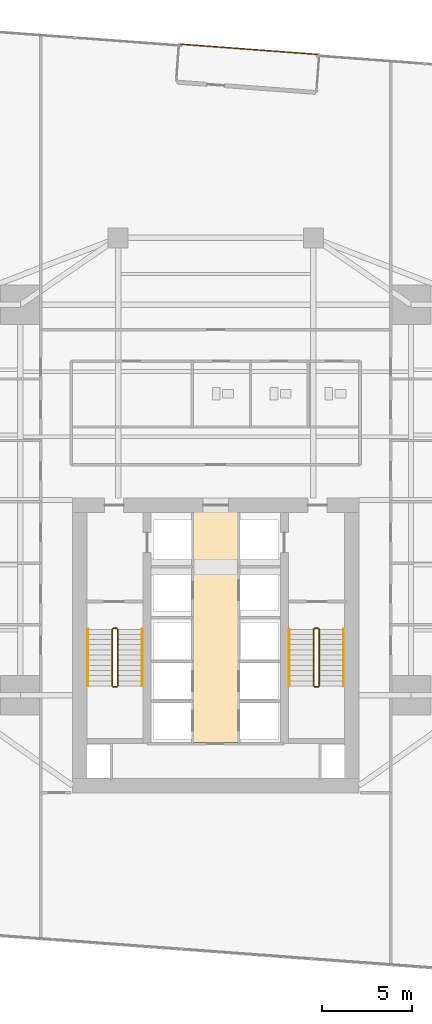
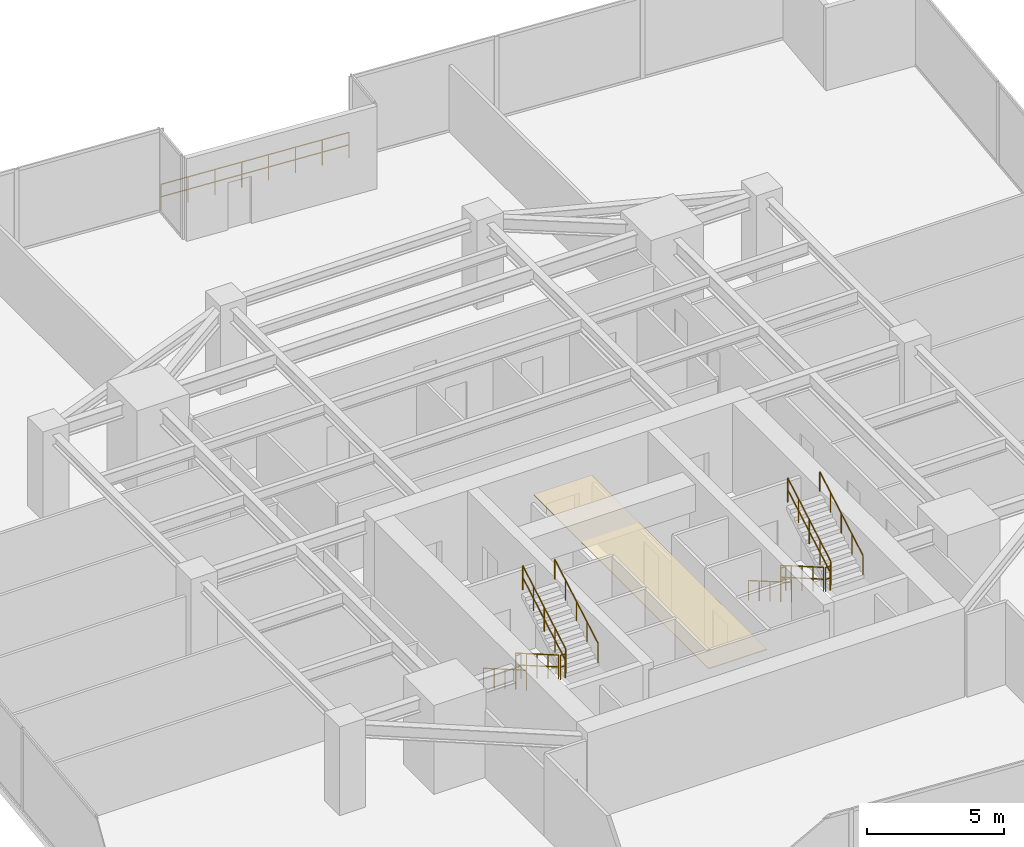
# One storey, part 29 of 30: 13 railings, 1 covering.
"""IFC4 building model written with IfcOpenShell, lengths in metres."""

from ifc_helpers import new_model, si_unit, direction, frame, origin, origin_2d, place, context, subcontext, project, spatial, polyline, circle, outline, extrude, material, layer, layer_set, type_object, element, save


model = new_model("IFC4")

# Units and contexts
model_context = context("Model", 3, precision=1e-05, world=origin(), true_north=direction((0.0, 1.0)))
body_context = subcontext(model_context, "Body", "Model", "MODEL_VIEW")
ifc_project = project(units=[si_unit("LENGTHUNIT", "METRE"), si_unit("AREAUNIT", "SQUARE_METRE"), si_unit("VOLUMEUNIT", "CUBIC_METRE"), si_unit("PLANEANGLEUNIT", "RADIAN"), si_unit("MASSUNIT", "GRAM", prefix="KILO")], contexts=[model_context])

# Site, building, storey
site_placement = place(None, origin())
site = spatial("IfcSite", under=ifc_project, at=site_placement, CompositionType="ELEMENT")
building_placement = place(site_placement, origin())
building = spatial("IfcBuilding", under=site, at=building_placement, Name="Krantzveldt Concourse Tower", CompositionType="ELEMENT")
storey_placement = place(building_placement, frame((0.0, 0.0, 48.699951171875)))
storey = spatial("IfcBuildingStorey", under=building, at=storey_placement, Name="L11", CompositionType="ELEMENT", Elevation=48.699951171875)

# Covering
ifc_material_1 = material(Name="Perforated acoustic mineral-fibre ceiling tile", Category="ceiling")
ifc_layer_1 = layer(ifc_material_1, 0.0400390625, Name="Perforated acoustic mineral-fibre ceiling tile", Category="ceiling")
ifc_layer_set_1 = layer_set([ifc_layer_1], Name="Perforated acoustic mineral-fibre ceiling tile (COV-CEIL-ACOUSTIC)")
covering_type = type_object("IfcCoveringType", Name="COV-CEIL-ACOUSTIC", PredefinedType="CEILING", material=ifc_layer_set_1)
covering_placement = place(storey_placement, frame((0.0, 0.0, 2.75)))
element("IfcCovering", 1, at=covering_placement, inside=storey, type_object=covering_type, Name="CLG-L11-LLB", PredefinedType="CEILING", context=body_context, shape_type="SweptSolid", body=[
    extrude(outline(polyline([(37.22509765625, 13.27490234375), (34.77490234375, 13.27490234375), (34.77490234375, 26.044921875), (37.22509765625, 26.044921875), (37.22509765625, 13.27490234375)])), origin(), (0.0, 0.0, 1.0), 0.0400390625),
])

# Railings
ifc_material_2 = material(Name="Stainless steel 316L", Category="steel")
ifc_layer_2 = layer(ifc_material_2, 0.080078125, Name="Stainless steel 316L", Category="steel")
ifc_layer_set_2 = layer_set([ifc_layer_2], Name="Stainless steel 316L (RL-BALUSTRADE-1150)")
railing_type_1 = type_object("IfcRailingType", Name="RL-BALUSTRADE-1150", PredefinedType="BALUSTRADE", material=ifc_layer_set_2)
railing_1_placement = place(storey_placement, frame((34.063232421875, 51.912841796875, 0.0)))
element("IfcRailing", 2, at=railing_1_placement, inside=storey, type_object=railing_type_1, Name="GD-L11-CTER-01", PredefinedType="BALUSTRADE", context=body_context, shape_type="SweptSolid", body=[
    extrude(circle(Radius=0.02392578125, at=origin_2d()), frame((0.0, 0.0, 1.1259765625), z_axis=(0.997250108425, -0.074109521973, 0.0), x_axis=(0.074109521973, 0.997250108425, 0.0)), (0.0, 0.0, 1.0), 7.60009765625),
    extrude(circle(Radius=0.02392578125, at=origin_2d()), frame((0.0, 0.0, 0.574951171875), z_axis=(0.997250108425, -0.074109521973, 0.0), x_axis=(0.074109521973, 0.997250108425, 0.0)), (0.0, 0.0, 1.0), 7.60009765625),
    extrude(circle(Radius=0.02099609375, at=origin_2d()), origin(), (0.0, 0.0, 1.0), 1.101806640625),
    extrude(circle(Radius=0.02099609375, at=origin_2d()), frame((1.082763671875, -0.08056640625, 0.0)), (0.0, 0.0, 1.0), 1.101806640625),
    extrude(circle(Radius=0.02099609375, at=origin_2d()), frame((2.16552734375, -0.160888671875, 0.0)), (0.0, 0.0, 1.0), 1.101806640625),
    extrude(circle(Radius=0.02099609375, at=origin_2d()), frame((3.248291015625, -0.241455078125, 0.0)), (0.0, 0.0, 1.0), 1.101806640625),
    extrude(circle(Radius=0.02099609375, at=origin_2d()), frame((4.330810546875, -0.32177734375, 0.0)), (0.0, 0.0, 1.0), 1.101806640625),
    extrude(circle(Radius=0.02099609375, at=origin_2d()), frame((5.41357421875, -0.40234375, 0.0)), (0.0, 0.0, 1.0), 1.101806640625),
    extrude(circle(Radius=0.02099609375, at=origin_2d()), frame((6.496337890625, -0.482666015625, 0.0)), (0.0, 0.0, 1.0), 1.101806640625),
    extrude(circle(Radius=0.02099609375, at=origin_2d()), frame((7.5791015625, -0.563232421875, 0.0)), (0.0, 0.0, 1.0), 1.101806640625),
])
ifc_layer_3 = layer(ifc_material_2, 0.06005859375, Name="Stainless steel 316L", Category="steel")
ifc_layer_set_3 = layer_set([ifc_layer_3], Name="Stainless steel 316L (RL-GUARD-1120)")
railing_type_2 = type_object("IfcRailingType", Name="RL-GUARD-1120", PredefinedType="GUARDRAIL", material=ifc_layer_set_3)
railing_2_placement = place(storey_placement, frame((30.280029296875, 19.550048828125, 0.16455078125)))
element("IfcRailing", 3, at=railing_2_placement, inside=storey, type_object=railing_type_2, Name="L11 ST-1 stair guard 1", PredefinedType="GUARDRAIL", context=body_context, shape_type="SweptSolid", body=[
    extrude(circle(Radius=0.02392578125, at=origin_2d()), frame((0.0, 0.0, 1.076171875), z_axis=(0.0, -0.865959834175, 0.500113552702), x_axis=(1.0, 0.0, 0.0)), (0.0, 0.0, 1.0), 3.620361328125),
    extrude(circle(Radius=0.02392578125, at=origin_2d()), frame((0.0, 0.0, 0.550048828125), z_axis=(0.0, -0.865959834175, 0.500113552702), x_axis=(1.0, 0.0, 0.0)), (0.0, 0.0, 1.0), 3.620361328125),
    extrude(circle(Radius=0.02099609375, at=origin_2d()), origin(), (0.0, 0.0, 1.0), 1.052001953125),
    extrude(circle(Radius=0.02099609375, at=origin_2d()), frame((0.0, -0.78369140625, 0.45263671875)), (0.0, 0.0, 1.0), 1.052001953125),
    extrude(circle(Radius=0.02099609375, at=origin_2d()), frame((0.0, -1.5673828125, 0.9052734375)), (0.0, 0.0, 1.0), 1.052001953125),
    extrude(circle(Radius=0.02099609375, at=origin_2d()), frame((0.0, -2.351318359375, 1.35791015625)), (0.0, 0.0, 1.0), 1.052001953125),
    extrude(circle(Radius=0.02099609375, at=origin_2d()), frame((0.0, -3.135009765625, 1.810546875)), (0.0, 0.0, 1.0), 1.052001953125),
])
railing_3_placement = place(storey_placement, frame((30.330078125, 16.364990234375, 1.97509765625)))
element("IfcRailing", 4, at=railing_3_placement, inside=storey, type_object=railing_type_2, Name="L11 ST-1 stair guard 2", PredefinedType="GUARDRAIL", context=body_context, shape_type="SweptSolid", body=[
    extrude(circle(Radius=0.02392578125, at=origin_2d()), frame((0.0, 0.0, 1.076171875), z_axis=(1.0, 0.0, 0.0), x_axis=(0.0, 1.0, 0.0)), (0.0, 0.0, 1.0), 0.199951171875),
    extrude(circle(Radius=0.02392578125, at=origin_2d()), frame((0.0, 0.0, 0.550048828125), z_axis=(1.0, 0.0, 0.0), x_axis=(0.0, 1.0, 0.0)), (0.0, 0.0, 1.0), 0.199951171875),
    extrude(circle(Radius=0.02099609375, at=origin_2d()), origin(), (0.0, 0.0, 1.0), 1.052001953125),
    extrude(circle(Radius=0.02099609375, at=origin_2d()), frame((0.199951171875, 0.0, 0.0)), (0.0, 0.0, 1.0), 1.052001953125),
])
railing_4_placement = place(storey_placement, frame((30.580078125, 16.4150390625, 2.1396484375)))
element("IfcRailing", 5, at=railing_4_placement, inside=storey, type_object=railing_type_2, Name="L11 ST-1 stair guard 3", PredefinedType="GUARDRAIL", context=body_context, shape_type="SweptSolid", body=[
    extrude(circle(Radius=0.02392578125, at=origin_2d()), frame((0.0, 0.0, 1.076171875), z_axis=(0.0, 0.865989039225, 0.500062979975), x_axis=(-1.0, 0.0, 0.0)), (0.0, 0.0, 1.0), 3.6201171875),
    extrude(circle(Radius=0.02392578125, at=origin_2d()), frame((0.0, 0.0, 0.550048828125), z_axis=(0.0, 0.865989039225, 0.500062979975), x_axis=(-1.0, 0.0, 0.0)), (0.0, 0.0, 1.0), 3.6201171875),
    extrude(circle(Radius=0.02099609375, at=origin_2d()), origin(), (0.0, 0.0, 1.0), 1.052001953125),
    extrude(circle(Radius=0.02099609375, at=origin_2d()), frame((0.0, 0.78369140625, 0.45263671875)), (0.0, 0.0, 1.0), 1.052001953125),
    extrude(circle(Radius=0.02099609375, at=origin_2d()), frame((0.0, 1.5673828125, 0.9052734375)), (0.0, 0.0, 1.0), 1.052001953125),
    extrude(circle(Radius=0.02099609375, at=origin_2d()), frame((0.0, 2.351318359375, 1.357666015625)), (0.0, 0.0, 1.0), 1.052001953125),
    extrude(circle(Radius=0.02099609375, at=origin_2d()), frame((0.0, 3.135009765625, 1.810302734375)), (0.0, 0.0, 1.0), 1.052001953125),
])
railing_5_placement = place(storey_placement, frame((30.330078125, 19.60009765625, 0.0)))
element("IfcRailing", 6, at=railing_5_placement, inside=storey, type_object=railing_type_2, Name="L11 ST-1 stair guard 4", PredefinedType="GUARDRAIL", context=body_context, shape_type="SweptSolid", body=[
    extrude(circle(Radius=0.02392578125, at=origin_2d()), frame((0.0, 0.0, 1.076171875), z_axis=(1.0, 0.0, 0.0), x_axis=(0.0, 1.0, 0.0)), (0.0, 0.0, 1.0), 0.199951171875),
    extrude(circle(Radius=0.02392578125, at=origin_2d()), frame((0.0, 0.0, 0.550048828125), z_axis=(1.0, 0.0, 0.0), x_axis=(0.0, 1.0, 0.0)), (0.0, 0.0, 1.0), 0.199951171875),
    extrude(circle(Radius=0.02099609375, at=origin_2d()), origin(), (0.0, 0.0, 1.0), 1.052001953125),
    extrude(circle(Radius=0.02099609375, at=origin_2d()), frame((0.199951171875, 0.0, 0.0)), (0.0, 0.0, 1.0), 1.052001953125),
])
railing_6_placement = place(storey_placement, frame((41.419921875, 19.550048828125, 0.16455078125)))
element("IfcRailing", 7, at=railing_6_placement, inside=storey, type_object=railing_type_2, Name="L11 ST-2 stair guard 1", PredefinedType="GUARDRAIL", context=body_context, shape_type="SweptSolid", body=[
    extrude(circle(Radius=0.02392578125, at=origin_2d()), frame((0.0, 0.0, 1.076171875), z_axis=(0.0, -0.865959834175, 0.500113552702), x_axis=(1.0, 0.0, 0.0)), (0.0, 0.0, 1.0), 3.620361328125),
    extrude(circle(Radius=0.02392578125, at=origin_2d()), frame((0.0, 0.0, 0.550048828125), z_axis=(0.0, -0.865959834175, 0.500113552702), x_axis=(1.0, 0.0, 0.0)), (0.0, 0.0, 1.0), 3.620361328125),
    extrude(circle(Radius=0.02099609375, at=origin_2d()), origin(), (0.0, 0.0, 1.0), 1.052001953125),
    extrude(circle(Radius=0.02099609375, at=origin_2d()), frame((0.0, -0.78369140625, 0.45263671875)), (0.0, 0.0, 1.0), 1.052001953125),
    extrude(circle(Radius=0.02099609375, at=origin_2d()), frame((0.0, -1.5673828125, 0.9052734375)), (0.0, 0.0, 1.0), 1.052001953125),
    extrude(circle(Radius=0.02099609375, at=origin_2d()), frame((0.0, -2.351318359375, 1.35791015625)), (0.0, 0.0, 1.0), 1.052001953125),
    extrude(circle(Radius=0.02099609375, at=origin_2d()), frame((0.0, -3.135009765625, 1.810546875)), (0.0, 0.0, 1.0), 1.052001953125),
])
railing_7_placement = place(storey_placement, frame((41.469970703125, 16.364990234375, 1.97509765625)))
element("IfcRailing", 8, at=railing_7_placement, inside=storey, type_object=railing_type_2, Name="L11 ST-2 stair guard 2", PredefinedType="GUARDRAIL", context=body_context, shape_type="SweptSolid", body=[
    extrude(circle(Radius=0.02392578125, at=origin_2d()), frame((0.0, 0.0, 1.076171875), z_axis=(1.0, 0.0, 0.0), x_axis=(0.0, 1.0, 0.0)), (0.0, 0.0, 1.0), 0.199951171875),
    extrude(circle(Radius=0.02392578125, at=origin_2d()), frame((0.0, 0.0, 0.550048828125), z_axis=(1.0, 0.0, 0.0), x_axis=(0.0, 1.0, 0.0)), (0.0, 0.0, 1.0), 0.199951171875),
    extrude(circle(Radius=0.02099609375, at=origin_2d()), origin(), (0.0, 0.0, 1.0), 1.052001953125),
    extrude(circle(Radius=0.02099609375, at=origin_2d()), frame((0.199951171875, 0.0, 0.0)), (0.0, 0.0, 1.0), 1.052001953125),
])
railing_8_placement = place(storey_placement, frame((41.719970703125, 16.4150390625, 2.1396484375)))
element("IfcRailing", 9, at=railing_8_placement, inside=storey, type_object=railing_type_2, Name="L11 ST-2 stair guard 3", PredefinedType="GUARDRAIL", context=body_context, shape_type="SweptSolid", body=[
    extrude(circle(Radius=0.02392578125, at=origin_2d()), frame((0.0, 0.0, 1.076171875), z_axis=(0.0, 0.865989039225, 0.500062979975), x_axis=(-1.0, 0.0, 0.0)), (0.0, 0.0, 1.0), 3.6201171875),
    extrude(circle(Radius=0.02392578125, at=origin_2d()), frame((0.0, 0.0, 0.550048828125), z_axis=(0.0, 0.865989039225, 0.500062979975), x_axis=(-1.0, 0.0, 0.0)), (0.0, 0.0, 1.0), 3.6201171875),
    extrude(circle(Radius=0.02099609375, at=origin_2d()), origin(), (0.0, 0.0, 1.0), 1.052001953125),
    extrude(circle(Radius=0.02099609375, at=origin_2d()), frame((0.0, 0.78369140625, 0.45263671875)), (0.0, 0.0, 1.0), 1.052001953125),
    extrude(circle(Radius=0.02099609375, at=origin_2d()), frame((0.0, 1.5673828125, 0.9052734375)), (0.0, 0.0, 1.0), 1.052001953125),
    extrude(circle(Radius=0.02099609375, at=origin_2d()), frame((0.0, 2.351318359375, 1.357666015625)), (0.0, 0.0, 1.0), 1.052001953125),
    extrude(circle(Radius=0.02099609375, at=origin_2d()), frame((0.0, 3.135009765625, 1.810302734375)), (0.0, 0.0, 1.0), 1.052001953125),
])
railing_9_placement = place(storey_placement, frame((41.469970703125, 19.60009765625, 0.0)))
element("IfcRailing", 10, at=railing_9_placement, inside=storey, type_object=railing_type_2, Name="L11 ST-2 stair guard 4", PredefinedType="GUARDRAIL", context=body_context, shape_type="SweptSolid", body=[
    extrude(circle(Radius=0.02392578125, at=origin_2d()), frame((0.0, 0.0, 1.076171875), z_axis=(1.0, 0.0, 0.0), x_axis=(0.0, 1.0, 0.0)), (0.0, 0.0, 1.0), 0.199951171875),
    extrude(circle(Radius=0.02392578125, at=origin_2d()), frame((0.0, 0.0, 0.550048828125), z_axis=(1.0, 0.0, 0.0), x_axis=(0.0, 1.0, 0.0)), (0.0, 0.0, 1.0), 0.199951171875),
    extrude(circle(Radius=0.02099609375, at=origin_2d()), origin(), (0.0, 0.0, 1.0), 1.052001953125),
    extrude(circle(Radius=0.02099609375, at=origin_2d()), frame((0.199951171875, 0.0, 0.0)), (0.0, 0.0, 1.0), 1.052001953125),
])
ifc_layer_4 = layer(ifc_material_2, 0.050048828125, Name="Stainless steel 316L", Category="steel")
ifc_layer_set_4 = layer_set([ifc_layer_4], Name="Stainless steel 316L (RL-HANDRAIL-920)")
railing_type_3 = type_object("IfcRailingType", Name="RL-HANDRAIL-920", PredefinedType="HANDRAIL", material=ifc_layer_set_4)
railing_10_placement = place(storey_placement, frame((28.929931640625, 19.550048828125, 0.16455078125)))
element("IfcRailing", 11, at=railing_10_placement, inside=storey, type_object=railing_type_3, Name="L11 ST-1 stair handrail 1", PredefinedType="HANDRAIL", context=body_context, shape_type="SweptSolid", body=[
    extrude(circle(Radius=0.02392578125, at=origin_2d()), frame((0.0, 0.0, 0.8759765625), z_axis=(0.0, -0.865959834175, 0.500113552702), x_axis=(1.0, 0.0, 0.0)), (0.0, 0.0, 1.0), 3.620361328125),
    extrude(circle(Radius=0.02099609375, at=origin_2d()), origin(), (0.0, 0.0, 1.0), 0.851806640625),
    extrude(circle(Radius=0.02099609375, at=origin_2d()), frame((0.0, -0.78369140625, 0.45263671875)), (0.0, 0.0, 1.0), 0.851806640625),
    extrude(circle(Radius=0.02099609375, at=origin_2d()), frame((0.0, -1.5673828125, 0.9052734375)), (0.0, 0.0, 1.0), 0.851806640625),
    extrude(circle(Radius=0.02099609375, at=origin_2d()), frame((0.0, -2.351318359375, 1.35791015625)), (0.0, 0.0, 1.0), 0.851806640625),
    extrude(circle(Radius=0.02099609375, at=origin_2d()), frame((0.0, -3.135009765625, 1.810546875)), (0.0, 0.0, 1.0), 0.851806640625),
])
railing_11_placement = place(storey_placement, frame((31.929931640625, 16.4150390625, 2.1396484375)))
element("IfcRailing", 12, at=railing_11_placement, inside=storey, type_object=railing_type_3, Name="L11 ST-1 stair handrail 2", PredefinedType="HANDRAIL", context=body_context, shape_type="SweptSolid", body=[
    extrude(circle(Radius=0.02392578125, at=origin_2d()), frame((0.0, 0.0, 0.8759765625), z_axis=(0.0, 0.865989039225, 0.500062979975), x_axis=(-1.0, 0.0, 0.0)), (0.0, 0.0, 1.0), 3.6201171875),
    extrude(circle(Radius=0.02099609375, at=origin_2d()), origin(), (0.0, 0.0, 1.0), 0.851806640625),
    extrude(circle(Radius=0.02099609375, at=origin_2d()), frame((0.0, 0.78369140625, 0.45263671875)), (0.0, 0.0, 1.0), 0.851806640625),
    extrude(circle(Radius=0.02099609375, at=origin_2d()), frame((0.0, 1.5673828125, 0.9052734375)), (0.0, 0.0, 1.0), 0.851806640625),
    extrude(circle(Radius=0.02099609375, at=origin_2d()), frame((0.0, 2.351318359375, 1.357666015625)), (0.0, 0.0, 1.0), 0.851806640625),
    extrude(circle(Radius=0.02099609375, at=origin_2d()), frame((0.0, 3.135009765625, 1.810302734375)), (0.0, 0.0, 1.0), 0.851806640625),
])
railing_12_placement = place(storey_placement, frame((40.070068359375, 19.550048828125, 0.16455078125)))
element("IfcRailing", 13, at=railing_12_placement, inside=storey, type_object=railing_type_3, Name="L11 ST-2 stair handrail 1", PredefinedType="HANDRAIL", context=body_context, shape_type="SweptSolid", body=[
    extrude(circle(Radius=0.02392578125, at=origin_2d()), frame((0.0, 0.0, 0.8759765625), z_axis=(0.0, -0.865959834175, 0.500113552702), x_axis=(1.0, 0.0, 0.0)), (0.0, 0.0, 1.0), 3.620361328125),
    extrude(circle(Radius=0.02099609375, at=origin_2d()), origin(), (0.0, 0.0, 1.0), 0.851806640625),
    extrude(circle(Radius=0.02099609375, at=origin_2d()), frame((0.0, -0.78369140625, 0.45263671875)), (0.0, 0.0, 1.0), 0.851806640625),
    extrude(circle(Radius=0.02099609375, at=origin_2d()), frame((0.0, -1.5673828125, 0.9052734375)), (0.0, 0.0, 1.0), 0.851806640625),
    extrude(circle(Radius=0.02099609375, at=origin_2d()), frame((0.0, -2.351318359375, 1.35791015625)), (0.0, 0.0, 1.0), 0.851806640625),
    extrude(circle(Radius=0.02099609375, at=origin_2d()), frame((0.0, -3.135009765625, 1.810546875)), (0.0, 0.0, 1.0), 0.851806640625),
])
railing_13_placement = place(storey_placement, frame((43.070068359375, 16.4150390625, 2.1396484375)))
element("IfcRailing", 14, at=railing_13_placement, inside=storey, type_object=railing_type_3, Name="L11 ST-2 stair handrail 2", PredefinedType="HANDRAIL", context=body_context, shape_type="SweptSolid", body=[
    extrude(circle(Radius=0.02392578125, at=origin_2d()), frame((0.0, 0.0, 0.8759765625), z_axis=(0.0, 0.865989039225, 0.500062979975), x_axis=(-1.0, 0.0, 0.0)), (0.0, 0.0, 1.0), 3.6201171875),
    extrude(circle(Radius=0.02099609375, at=origin_2d()), origin(), (0.0, 0.0, 1.0), 0.851806640625),
    extrude(circle(Radius=0.02099609375, at=origin_2d()), frame((0.0, 0.78369140625, 0.45263671875)), (0.0, 0.0, 1.0), 0.851806640625),
    extrude(circle(Radius=0.02099609375, at=origin_2d()), frame((0.0, 1.5673828125, 0.9052734375)), (0.0, 0.0, 1.0), 0.851806640625),
    extrude(circle(Radius=0.02099609375, at=origin_2d()), frame((0.0, 2.351318359375, 1.357666015625)), (0.0, 0.0, 1.0), 0.851806640625),
    extrude(circle(Radius=0.02099609375, at=origin_2d()), frame((0.0, 3.135009765625, 1.810302734375)), (0.0, 0.0, 1.0), 0.851806640625),
])

save(model, "model.ifc")
